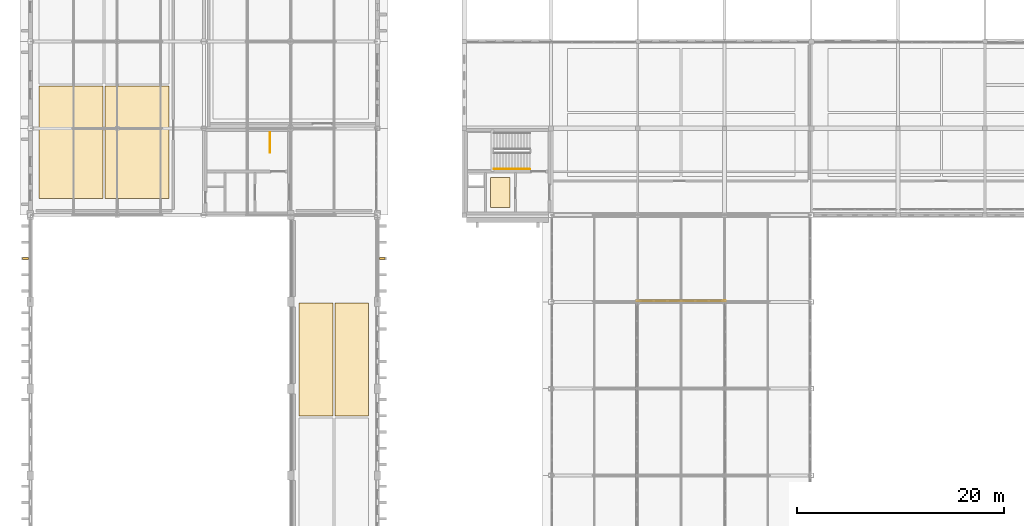
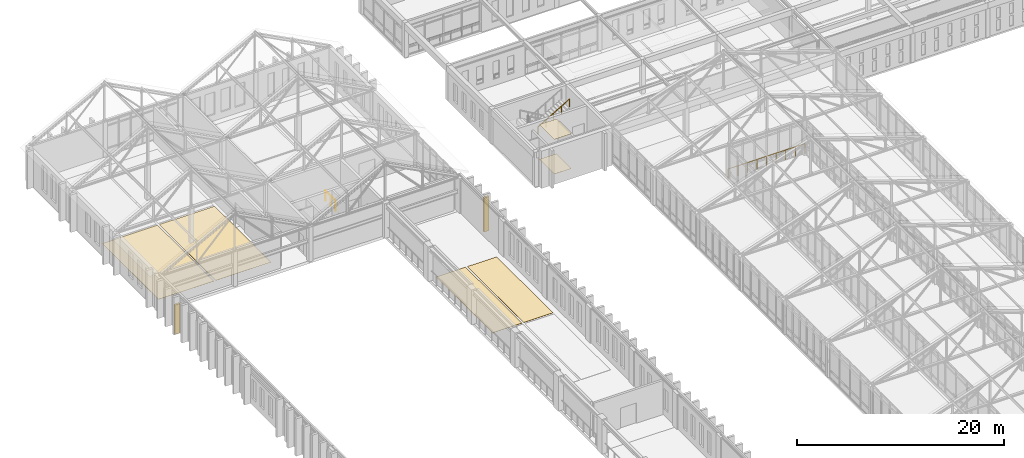
# One storey, part 185 of 192: 6 coverings, 3 railings, 2 shading devices.
"""IFC4 building model written with IfcOpenShell, lengths in metres."""

from ifc_helpers import new_model, si_unit, direction, frame, origin, origin_2d, place, context, subcontext, project, spatial, rectangle, circle, extrude, material, layer, layer_set, type_object, element, save


model = new_model("IFC4")

# Units and contexts
model_context = context("Model", 3, precision=1e-05, world=origin(), true_north=direction((0.0, 1.0)))
body_context = subcontext(model_context, "Body", "Model", "MODEL_VIEW")
ifc_project = project(units=[si_unit("LENGTHUNIT", "METRE"), si_unit("AREAUNIT", "SQUARE_METRE"), si_unit("VOLUMEUNIT", "CUBIC_METRE"), si_unit("PLANEANGLEUNIT", "RADIAN"), si_unit("MASSUNIT", "GRAM", prefix="KILO")], contexts=[model_context])

# Site, building, storey
site_placement = place(None, origin())
site = spatial("IfcSite", under=ifc_project, at=site_placement, CompositionType="ELEMENT")
building_placement = place(site_placement, origin())
building = spatial("IfcBuilding", under=site, at=building_placement, Name="Kveldsbrygga Polytechnic", CompositionType="ELEMENT")
storey_placement = place(building_placement, frame((0.0, 0.0, 5.43994140625)))
storey = spatial("IfcBuildingStorey", under=building, at=storey_placement, Name="L01", CompositionType="ELEMENT", Elevation=5.43994140625)

# Coverings
ifc_material_1 = material(Name="Gypsum acoustic ceiling")
ifc_layer_1 = layer(ifc_material_1, 0.02001953125)
ifc_layer_set_1 = layer_set([ifc_layer_1], Name="Gypsum acoustic ceiling")
covering_type_1 = type_object("IfcCoveringType", Name="COV-CEIL-GY20", PredefinedType="CEILING", material=ifc_layer_set_1)
covering_1_placement = place(storey_placement, frame((45.5, 86.199951171875, 4.10009765625), z_axis=(0.0, 0.0, 1.0), x_axis=(1.0, 0.0, 0.0)))
element("IfcCovering", 1, at=covering_1_placement, inside=storey, type_object=covering_type_1, Name="Acoustic Ceiling SP-C7-L01-STORE", PredefinedType="CEILING", context=body_context, shape_type="SweptSolid", body=[
    extrude(rectangle(XDim=1.89990234375, YDim=2.89990234375, at=origin_2d()), origin(), (0.0, 0.0, 1.0), 0.02001953125),
])
ifc_material_2 = material(Name="Heavy-duty quartz-filled epoxy resin flooring")
ifc_layer_2 = layer(ifc_material_2, 0.014892578125)
ifc_layer_set_2 = layer_set([ifc_layer_2], Name="Heavy-duty quartz-filled epoxy resin flooring")
covering_type_2 = type_object("IfcCoveringType", Name="COV-FLR-EPX15", PredefinedType="FLOORING", material=ifc_layer_set_2)
covering_2_placement = place(storey_placement, frame((45.5, 86.199951171875, 0.0), z_axis=(0.0, 0.0, 1.0), x_axis=(1.0, 0.0, 0.0)))
element("IfcCovering", 2, at=covering_2_placement, inside=storey, type_object=covering_type_2, Name="Room Flooring SP-C7-L01-STORE", PredefinedType="FLOORING", context=body_context, shape_type="SweptSolid", body=[
    extrude(rectangle(XDim=1.89990234375, YDim=2.89990234375, at=origin_2d()), origin(), (0.0, 0.0, 1.0), 0.014892578125),
])
for number, where, z_axis, x_axis, name in (
    (3, (27.637451171875, 70.02490234375, 0.0), (0.0, 0.0, 1.0), (1.0, 0.0, 0.0), "Room Flooring SP-L01-WKGAL-WN"),
    (4, (31.112548828125, 70.02490234375, 0.0), (0.0, 0.0, 1.0), (1.0, 0.0, 0.0), "Room Flooring SP-L01-WKGAL-EN"),
):
    element("IfcCovering", number, at=place(storey_placement, frame(where, z_axis=z_axis, x_axis=x_axis)), inside=storey, type_object=covering_type_2, Name=name, PredefinedType="FLOORING", context=body_context, shape_type="SweptSolid", body=[
        extrude(rectangle(XDim=3.27490234375, YDim=10.89990234375, at=origin_2d()), origin(), (0.0, 0.0, 1.0), 0.014892578125),
    ])
for number, where, z_axis, x_axis, name in (
    (5, (3.9375, 91.050048828125, 0.0), (0.0, 0.0, 1.0), (1.0, 0.0, 0.0), "Room Flooring SP-L01-WK3W-WS"),
    (6, (10.3125, 91.050048828125, 0.0), (0.0, 0.0, 1.0), (1.0, 0.0, 0.0), "Room Flooring SP-L01-WK3W-ES"),
):
    element("IfcCovering", number, at=place(storey_placement, frame(where, z_axis=z_axis, x_axis=x_axis)), inside=storey, type_object=covering_type_2, Name=name, PredefinedType="FLOORING", context=body_context, shape_type="SweptSolid", body=[
        extrude(rectangle(XDim=6.175048828125, YDim=10.89990234375, at=origin_2d()), origin(), (0.0, 0.0, 1.0), 0.014892578125),
    ])

# Shading devices
ifc_material_3 = material(Name="Fired clay brick masonry M10", Category="masonry")
shading_device_type = type_object("IfcShadingDeviceType", Name="FIN-BRICK-550", PredefinedType="JALOUSIE", material=ifc_material_3)
shading_device_1_placement = place(storey_placement, frame((-0.4609375, 79.800048828125, 0.0), z_axis=(0.0, 0.0, 1.0), x_axis=(0.0, 1.0, 0.0)))
element("IfcShadingDevice", 7, at=shading_device_1_placement, inside=storey, type_object=shading_device_type, Name="Brick Shading Fin L01-Y-00-09", PredefinedType="JALOUSIE", context=body_context, shape_type="SweptSolid", body=[
    extrude(rectangle(XDim=0.219970703125, YDim=0.550048828125, at=origin_2d()), origin(), (0.0, 0.0, 1.0), 3.4599609375),
])
shading_device_2_placement = place(storey_placement, frame((34.06103515625, 79.800048828125, 0.0), z_axis=(0.0, 0.0, 1.0), x_axis=(0.0, 1.0, 0.0)))
element("IfcShadingDevice", 8, at=shading_device_2_placement, inside=storey, type_object=shading_device_type, Name="Brick Shading Fin L01-Y-04-09", PredefinedType="JALOUSIE", context=body_context, shape_type="SweptSolid", body=[
    extrude(rectangle(XDim=0.219970703125, YDim=0.550048828125, at=origin_2d()), origin(), (0.0, 0.0, 1.0), 4.02001953125),
])

# Railings
ifc_material_4 = material(Name="Steel S355", Category="steel")
railing_type_1 = type_object("IfcRailingType", Name="RL-STAIR-GRD", PredefinedType="GUARDRAIL", material=ifc_material_4)
railing_1_placement = place(storey_placement, frame((23.199951171875, 92.0, 0.0)))
element("IfcRailing", 9, at=railing_1_placement, inside=storey, type_object=railing_type_1, Name="L01 ST-8 top well guard 1", PredefinedType="GUARDRAIL", context=body_context, shape_type="SweptSolid", body=[
    extrude(circle(Radius=0.02392578125, at=origin_2d()), frame((0.0, 0.0, 1.1259765625), z_axis=(0.0, -1.0, 0.0), x_axis=(1.0, 0.0, 0.0)), (0.0, 0.0, 1.0), 1.949951171875),
    extrude(circle(Radius=0.02099609375, at=origin_2d()), origin(), (0.0, 0.0, 1.0), 1.097900390625),
    extrude(circle(Radius=0.02099609375, at=origin_2d()), frame((0.0, -0.97509765625, 0.0)), (0.0, 0.0, 1.0), 1.097900390625),
    extrude(circle(Radius=0.02099609375, at=origin_2d()), frame((0.0, -1.949951171875, 0.0)), (0.0, 0.0, 1.0), 1.097900390625),
])
railing_type_2 = type_object("IfcRailingType", Name="RL-STAIR-HND", PredefinedType="HANDRAIL", material=ifc_material_4)
railing_2_placement = place(storey_placement, frame((44.8701171875, 88.449951171875, 2.380126953125)))
element("IfcRailing", 10, at=railing_2_placement, inside=storey, type_object=railing_type_2, Name="L01 ST-7 stair handrail 2", PredefinedType="HANDRAIL", context=body_context, shape_type="SweptSolid", body=[
    extrude(circle(Radius=0.02392578125, at=origin_2d()), frame((0.0, 0.0, 0.8759765625), z_axis=(0.862692506924, 0.0, 0.505728819128), x_axis=(0.0, 1.0, 0.0)), (0.0, 0.0, 1.0), 4.033935546875),
    extrude(circle(Radius=0.02099609375, at=origin_2d()), origin(), (0.0, 0.0, 1.0), 0.847900390625),
    extrude(circle(Radius=0.02099609375, at=origin_2d()), frame((0.8701171875, 0.0, 0.510009765625)), (0.0, 0.0, 1.0), 0.847900390625),
    extrude(circle(Radius=0.02099609375, at=origin_2d()), frame((1.739990234375, 0.0, 1.02001953125)), (0.0, 0.0, 1.0), 0.847900390625),
    extrude(circle(Radius=0.02099609375, at=origin_2d()), frame((2.60986328125, 0.0, 1.530029296875)), (0.0, 0.0, 1.0), 0.847900390625),
    extrude(circle(Radius=0.02099609375, at=origin_2d()), frame((3.47998046875, 0.0, 2.0400390625)), (0.0, 0.0, 1.0), 0.847900390625),
])
railing_type_3 = type_object("IfcRailingType", Name="RL-VOID-GRD", PredefinedType="GUARDRAIL", material=ifc_material_4)
railing_3_placement = place(storey_placement, frame((67.280029296875, 75.679931640625, 0.0)))
element("IfcRailing", 11, at=railing_3_placement, inside=storey, type_object=railing_type_3, Name="Winter Garden Atrium Guard GRD-L01-ATRIUM-N", PredefinedType="GUARDRAIL", context=body_context, shape_type="SweptSolid", body=[
    extrude(circle(Radius=0.02392578125, at=origin_2d()), frame((0.0, 0.0, 1.17578125), z_axis=(-1.0, 0.0, 0.0), x_axis=(0.0, -1.0, 0.0)), (0.0, 0.0, 1.0), 8.56005859375),
    extrude(circle(Radius=0.02099609375, at=origin_2d()), origin(), (0.0, 0.0, 1.0), 1.14794921875),
    extrude(circle(Radius=0.02099609375, at=origin_2d()), frame((-1.070068359375, 0.0, 0.0)), (0.0, 0.0, 1.0), 1.14794921875),
    extrude(circle(Radius=0.02099609375, at=origin_2d()), frame((-2.14013671875, 0.0, 0.0)), (0.0, 0.0, 1.0), 1.14794921875),
    extrude(circle(Radius=0.02099609375, at=origin_2d()), frame((-3.2099609375, 0.0, 0.0)), (0.0, 0.0, 1.0), 1.14794921875),
    extrude(circle(Radius=0.02099609375, at=origin_2d()), frame((-4.280029296875, 0.0, 0.0)), (0.0, 0.0, 1.0), 1.14794921875),
    extrude(circle(Radius=0.02099609375, at=origin_2d()), frame((-5.35009765625, 0.0, 0.0)), (0.0, 0.0, 1.0), 1.14794921875),
    extrude(circle(Radius=0.02099609375, at=origin_2d()), frame((-6.419921875, 0.0, 0.0)), (0.0, 0.0, 1.0), 1.14794921875),
    extrude(circle(Radius=0.02099609375, at=origin_2d()), frame((-7.489990234375, 0.0, 0.0)), (0.0, 0.0, 1.0), 1.14794921875),
    extrude(circle(Radius=0.02099609375, at=origin_2d()), frame((-8.56005859375, 0.0, 0.0)), (0.0, 0.0, 1.0), 1.14794921875),
])

save(model, "model.ifc")
